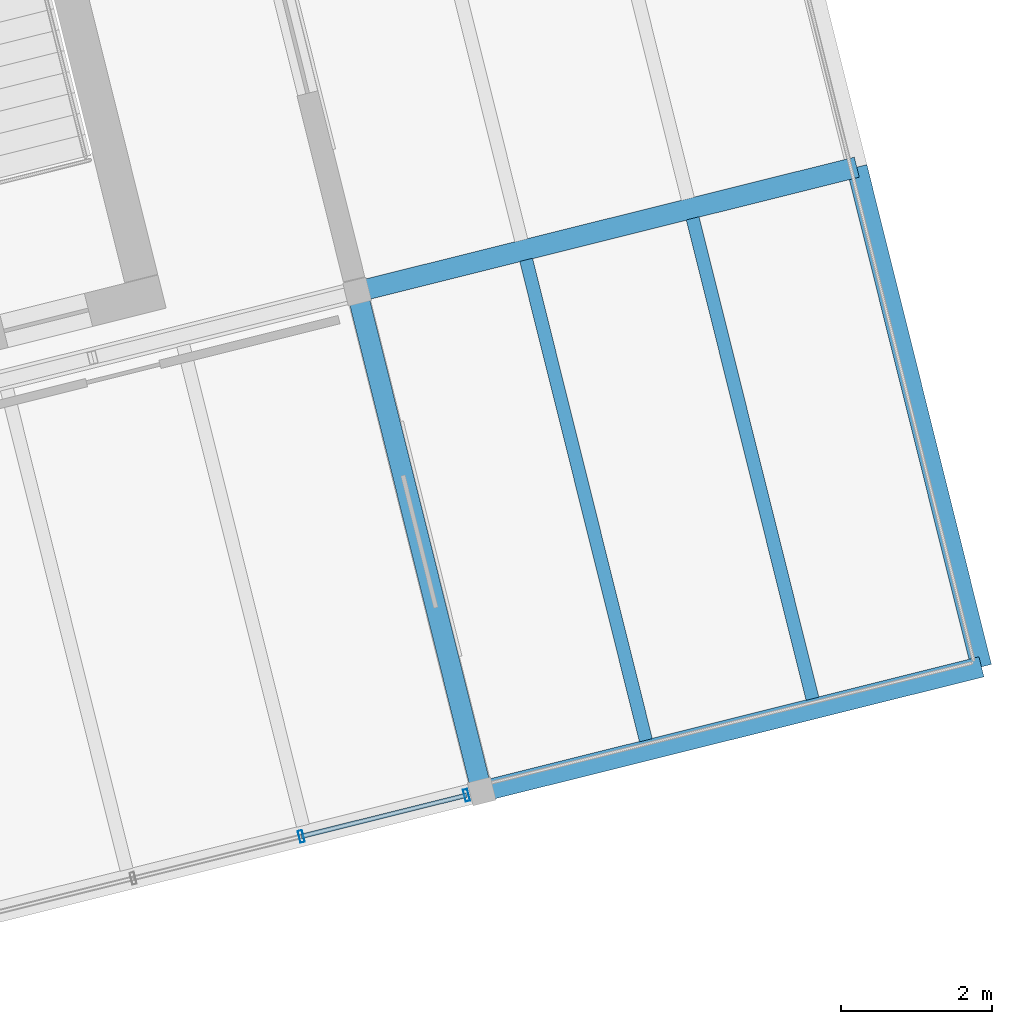
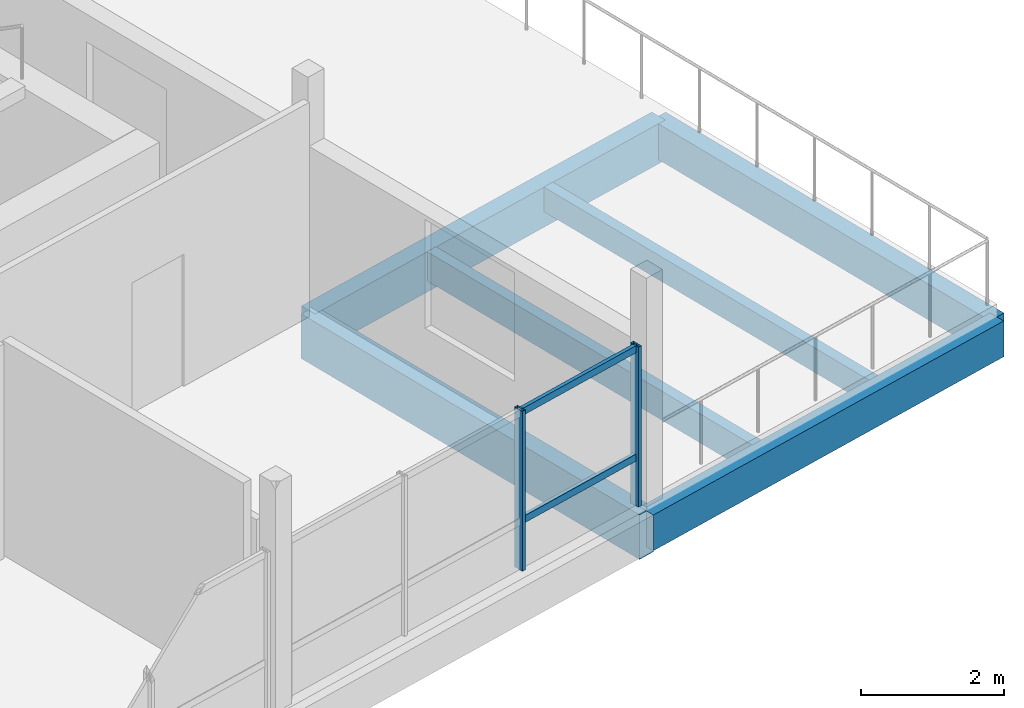
# One storey, part 17 of 24: 6 beams, 4 members, 1 element without a shape of its own.
"""IFC4 building model written with IfcOpenShell, lengths in metres."""

from ifc_helpers import new_model, si_unit, direction, frame, origin, origin_2d, place, context, subcontext, project, spatial, rectangle, hollow_rectangle, extrude, material, layer, layer_set, material_profile, profile_set, type_object, element, aggregate, save


model = new_model("IFC4")

# Units and contexts
model_context = context("Model", 3, precision=1e-05, world=origin(), true_north=direction((0.0, 1.0)))
body_context = subcontext(model_context, "Body", "Model", "MODEL_VIEW")
ifc_project = project(units=[si_unit("LENGTHUNIT", "METRE"), si_unit("AREAUNIT", "SQUARE_METRE"), si_unit("VOLUMEUNIT", "CUBIC_METRE"), si_unit("PLANEANGLEUNIT", "RADIAN"), si_unit("MASSUNIT", "GRAM", prefix="KILO")], contexts=[model_context])

# Site, building, storey
site_placement = place(None, origin())
site = spatial("IfcSite", under=ifc_project, at=site_placement, CompositionType="ELEMENT")
building_placement = place(site_placement, origin())
building = spatial("IfcBuilding", under=site, at=building_placement, Name="Meriwether Solvik Hall", CompositionType="ELEMENT")
storey_placement = place(building_placement, frame((0.0, 0.0, 57.300048828125)))
storey = spatial("IfcBuildingStorey", under=building, at=storey_placement, Name="L14", CompositionType="ELEMENT", Elevation=57.300048828125)

# Beams
ifc_material_1 = material(Name="Glulam Douglas-Fir 24F-V8 GL28h", Category="wood")
ifc_material_profile_1 = material_profile(ifc_material_1, rectangle(XDim=0.27294921875, YDim=0.610107421875, at=origin_2d()), Name="GLB-273X610")
ifc_profile_set_1 = profile_set([ifc_material_profile_1], Name="Glulam Douglas-Fir 24F-V8 GL28h")
beam_type_1 = type_object("IfcBeamType", Name="BM-GL-273X610", PredefinedType="SPANDREL", material=ifc_profile_set_1)
for number, where, z_axis, x_axis, name in (
    (1, (96.9326171875, 48.26416015625, -0.525146484375), (0.970298579828, 0.24191045034, 0.0), (-0.24191045034, 0.970298579828, 0.0), "Tower Girder TA:T5-T6 (L14)"),
    (2, (103.53076171875, 49.9091796875, -0.525146484375), (-0.2419526798, 0.970288050394, 0.0), (-0.970288050394, -0.2419526798, 0.0), "Tower Girder T6:TA-TB (L14)"),
):
    element("IfcBeam", number, at=place(storey_placement, frame(where, z_axis=z_axis, x_axis=x_axis)), inside=storey, type_object=beam_type_1, Name=name, PredefinedType="SPANDREL", context=body_context, shape_type="SweptSolid", body=[
        extrude(rectangle(XDim=0.27294921875, YDim=0.610107421875, at=origin_2d()), origin(), (0.0, 0.0, 1.0), 6.800048828125),
    ])
ifc_material_2 = material(Name="Glulam Douglas-Fir 24F-V8 GL28h", Category="wood")
ifc_material_profile_2 = material_profile(ifc_material_2, rectangle(XDim=0.27294921875, YDim=0.68505859375, at=origin_2d()), Name="GLB-273X685")
ifc_profile_set_2 = profile_set([ifc_material_profile_2], Name="Glulam Douglas-Fir 24F-V8 GL28h")
beam_type_2 = type_object("IfcBeamType", Name="BM-GL-273X685", PredefinedType="BEAM", material=ifc_profile_set_2)
beam_1_placement = place(storey_placement, frame((95.28759765625, 54.862060546875, -0.5625), z_axis=(0.970296478685, 0.241918877831, 0.0), x_axis=(-0.241918877831, 0.970296478685, 0.0)))
element("IfcBeam", 3, at=beam_1_placement, inside=storey, type_object=beam_type_2, Name="Tower Girder TB:T5-T6 (L14)", PredefinedType="BEAM", context=body_context, shape_type="SweptSolid", body=[
    extrude(rectangle(XDim=0.27294921875, YDim=0.68505859375, at=origin_2d()), origin(), (0.0, 0.0, 1.0), 6.7998046875),
])
ifc_material_3 = material(Name="Glulam Douglas-Fir 24F-V8 GL28h", Category="wood")
ifc_material_profile_3 = material_profile(ifc_material_3, rectangle(XDim=0.27294921875, YDim=0.760009765625, at=origin_2d()), Name="GLB-273X760")
ifc_profile_set_3 = profile_set([ifc_material_profile_3], Name="Glulam Douglas-Fir 24F-V8 GL28h")
beam_type_3 = type_object("IfcBeamType", Name="BM-GL-273X760", PredefinedType="BEAM", material=ifc_profile_set_3)
beam_2_placement = place(storey_placement, frame((96.9326171875, 48.26416015625, -0.60009765625), z_axis=(-0.241918877831, 0.970296478685, 0.0), x_axis=(-0.970296478685, -0.241918877831, 0.0)))
element("IfcBeam", 4, at=beam_2_placement, inside=storey, type_object=beam_type_3, Name="Tower Girder T5:TA-TB (L14)", PredefinedType="BEAM", context=body_context, shape_type="SweptSolid", body=[
    extrude(rectangle(XDim=0.27294921875, YDim=0.760009765625, at=origin_2d()), origin(), (0.0, 0.0, 1.0), 6.7998046875),
])

# Curtain wall, members
ifc_material_4 = material(Name="Thermally Broken Anodised Aluminium 6063-T6 and Low-E Glass", Category="aluminium")
ifc_layer = layer(ifc_material_4, 0.179931640625)
ifc_layer_set = layer_set([ifc_layer], Name="Thermally Broken Anodised Aluminium 6063-T6 and Low-E Glass")
curtain_wall_type = type_object("IfcCurtainWallType", Name="CW-UNIT-A", PredefinedType="USERDEFINED", material=ifc_layer_set)
curtain_wall_placement = place(storey_placement, origin())
curtain_wall = element("IfcCurtainWall", 5, at=curtain_wall_placement, inside=storey, type_object=curtain_wall_type, Name="Curtain Wall E0_B3 (L14)", ObjectType="UNITISED CURTAIN WALL", PredefinedType="USERDEFINED")
ifc_material_5 = material(Name="Anodised Aluminium 6063-T6", Category="aluminium")
ifc_material_profile_4 = material_profile(ifc_material_5, hollow_rectangle(XDim=0.06005859375, YDim=0.159912109375, WallThickness=0.00390625, at=origin_2d()), Name="CWM-60X160")
ifc_profile_set_4 = profile_set([ifc_material_profile_4], Name="Anodised Aluminium 6063-T6")
member_type_1 = type_object("IfcMemberType", Name="CW-MUL-60X160", PredefinedType="MULLION", material=ifc_profile_set_4)
member_1_placement = place(storey_placement, frame((96.731201171875, 48.2138671875, 0.0), z_axis=(0.0, 0.0, 1.0), x_axis=(-0.970295696551, -0.241922014821, 0.0)))
member_1 = element("IfcMember", 6, at=member_1_placement, type_object=member_type_1, Name="Curtain Wall Mullion 1", PredefinedType="MULLION", context=body_context, shape_type="SweptSolid", body=[
    extrude(hollow_rectangle(XDim=0.06005859375, YDim=0.159912109375, WallThickness=0.00390625, at=origin_2d()), origin(), (0.0, 0.0, 1.0), 2.724853515625),
])
member_2_placement = place(storey_placement, frame((94.549072265625, 47.669921875, 0.0), z_axis=(0.0, 0.0, 1.0), x_axis=(-0.970295696551, -0.241922014821, 0.0)))
member_2 = element("IfcMember", 7, at=member_2_placement, type_object=member_type_1, Name="Curtain Wall Mullion 2", PredefinedType="MULLION", context=body_context, shape_type="SweptSolid", body=[
    extrude(hollow_rectangle(XDim=0.06005859375, YDim=0.159912109375, WallThickness=0.00390625, at=origin_2d()), origin(), (0.0, 0.0, 1.0), 2.724853515625),
])
ifc_material_6 = material(Name="Anodised Aluminium 6063-T6", Category="aluminium")
ifc_material_profile_5 = material_profile(ifc_material_6, hollow_rectangle(XDim=0.06005859375, YDim=0.1201171875, WallThickness=0.00390625, at=origin_2d()), Name="CWT-60X120")
ifc_profile_set_5 = profile_set([ifc_material_profile_5], Name="Anodised Aluminium 6063-T6")
member_type_2 = type_object("IfcMemberType", Name="CW-TRN-60X120", PredefinedType="USERDEFINED", material=ifc_profile_set_5)
member_3_placement = place(storey_placement, frame((96.731201171875, 48.2138671875, 0.8173828125), z_axis=(-0.970308305597, -0.241871437108, 0.0), x_axis=(0.241871437108, -0.970308305597, 0.0)))
member_3 = element("IfcMember", 8, at=member_3_placement, type_object=member_type_2, Name="Curtain Wall Transom 1-sill", ObjectType="TRANSOM", PredefinedType="USERDEFINED", context=body_context, shape_type="SweptSolid", body=[
    extrude(hollow_rectangle(XDim=0.06005859375, YDim=0.1201171875, WallThickness=0.00390625, at=origin_2d()), origin(), (0.0, 0.0, 1.0), 2.2490234375),
])
member_4_placement = place(storey_placement, frame((96.731201171875, 48.2138671875, 2.6650390625), z_axis=(-0.970308305597, -0.241871437108, 0.0), x_axis=(0.241871437108, -0.970308305597, 0.0)))
member_4 = element("IfcMember", 9, at=member_4_placement, type_object=member_type_2, Name="Curtain Wall Transom 1-head", ObjectType="TRANSOM", PredefinedType="USERDEFINED", context=body_context, shape_type="SweptSolid", body=[
    extrude(hollow_rectangle(XDim=0.06005859375, YDim=0.1201171875, WallThickness=0.00390625, at=origin_2d()), origin(), (0.0, 0.0, 1.0), 2.2490234375),
])
aggregate(curtain_wall, [member_1, member_2, member_3, member_4])

# Beams
ifc_material_7 = material(Name="Glulam Douglas-Fir 24F-V8 GL28h", Category="wood")
ifc_material_profile_6 = material_profile(ifc_material_7, rectangle(XDim=0.175048828125, YDim=0.419921875, at=origin_2d()), Name="GLJ-175X420")
ifc_profile_set_6 = profile_set([ifc_material_profile_6], Name="Glulam Douglas-Fir 24F-V8 GL28h")
beam_type_4 = type_object("IfcBeamType", Name="JST-GL-175X420", PredefinedType="JOIST", material=ifc_profile_set_6)
beam_3_placement = place(storey_placement, frame((101.299560546875, 49.488525390625, -0.429931640625), z_axis=(-0.241938016776, 0.970291706673, 0.0), x_axis=(-0.970291706673, -0.241938016776, 0.0)))
element("IfcBeam", 10, at=beam_3_placement, inside=storey, type_object=beam_type_4, Name="Glulam Floor Joist T5/TA-J2 (L14)", PredefinedType="JOIST", context=body_context, shape_type="SweptSolid", body=[
    extrude(rectangle(XDim=0.175048828125, YDim=0.419921875, at=origin_2d()), origin(), (0.0, 0.0, 1.0), 6.536865234375),
])
ifc_material_8 = material(Name="Glulam Douglas-Fir 24F-V8 GL28h", Category="wood")
ifc_material_profile_7 = material_profile(ifc_material_8, rectangle(XDim=0.175048828125, YDim=0.4951171875, at=origin_2d()), Name="GLJ-175X495")
ifc_profile_set_7 = profile_set([ifc_material_profile_7], Name="Glulam Douglas-Fir 24F-V8 GL28h")
beam_type_5 = type_object("IfcBeamType", Name="JST-GL-175X495", PredefinedType="JOIST", material=ifc_profile_set_7)
beam_4_placement = place(storey_placement, frame((99.10009765625, 48.940185546875, -0.467529296875), z_axis=(-0.241902854765, 0.970300473491, 0.0), x_axis=(-0.970300473491, -0.241902854765, 0.0)))
element("IfcBeam", 11, at=beam_4_placement, inside=storey, type_object=beam_type_5, Name="Glulam Floor Joist T5/TA-J1 (L14)", PredefinedType="JOIST", context=body_context, shape_type="SweptSolid", body=[
    extrude(rectangle(XDim=0.175048828125, YDim=0.4951171875, at=origin_2d()), origin(), (0.0, 0.0, 1.0), 6.536865234375),
])

save(model, "model.ifc")
